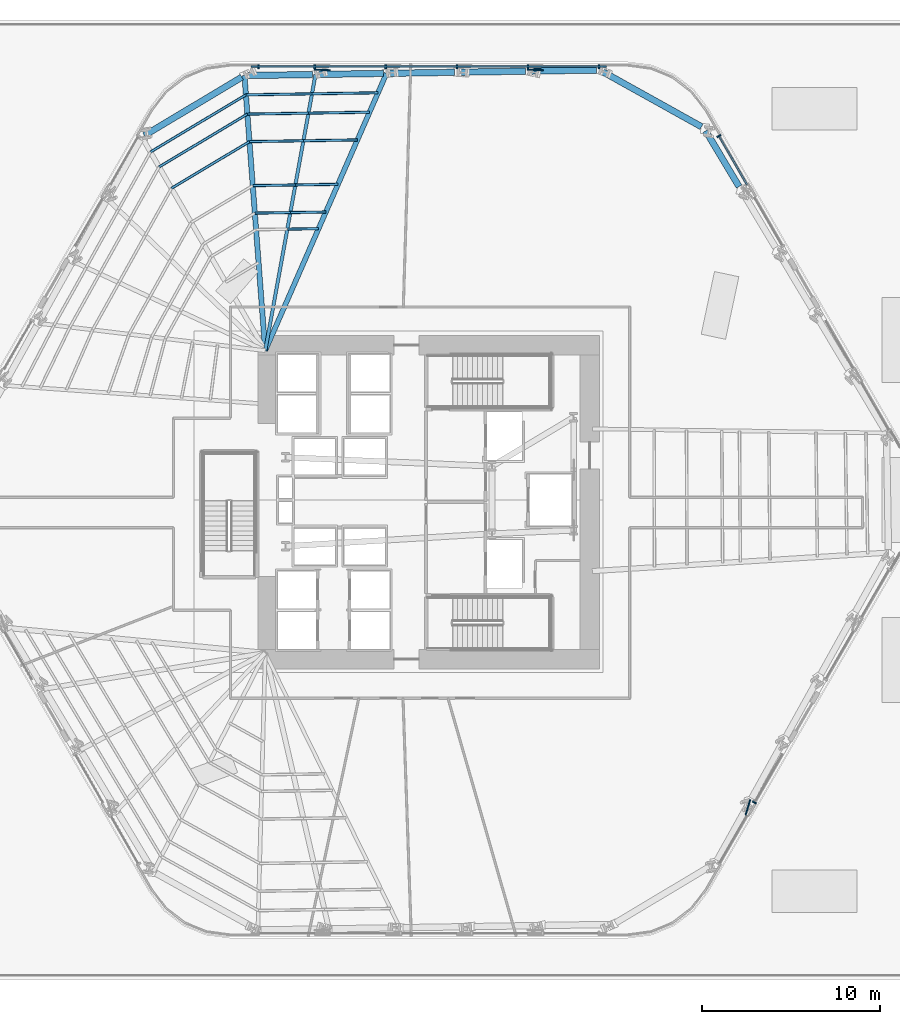
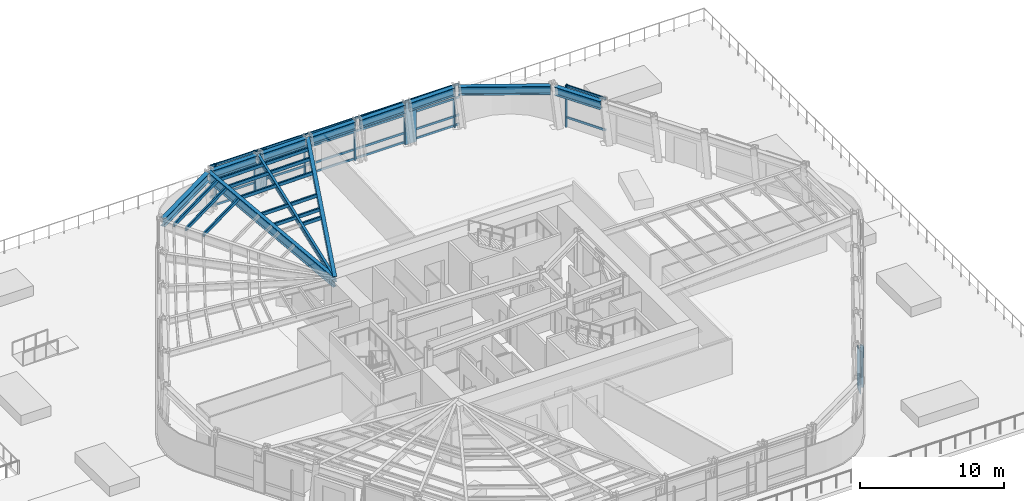
# One storey, part 5 of 18: 31 members, 11 beams, 3 elements without a shape of their own.
"""IFC4 building model written with IfcOpenShell, lengths in metres."""

from ifc_helpers import new_model, si_unit, direction, frame, origin, origin_2d, place, context, subcontext, project, spatial, rectangle, hollow_rectangle, i_section, extrude, material, layer, layer_set, material_profile, profile_set, type_object, element, aggregate, save


model = new_model("IFC4")

# Units and contexts
model_context = context("Model", 3, precision=1e-05, world=origin(), true_north=direction((0.0, 1.0)))
body_context = subcontext(model_context, "Body", "Model", "MODEL_VIEW")
ifc_project = project(units=[si_unit("LENGTHUNIT", "METRE"), si_unit("AREAUNIT", "SQUARE_METRE"), si_unit("VOLUMEUNIT", "CUBIC_METRE"), si_unit("PLANEANGLEUNIT", "RADIAN"), si_unit("MASSUNIT", "GRAM", prefix="KILO")], contexts=[model_context])

# Site, building, storey
site_placement = place(None, origin())
site = spatial("IfcSite", under=ifc_project, at=site_placement, CompositionType="ELEMENT")
building_placement = place(site_placement, origin())
building = spatial("IfcBuilding", under=site, at=building_placement, Name="Valkerne Bourse Tower", CompositionType="ELEMENT")
storey_placement = place(building_placement, frame((0.0, 0.0, 24.0)))
storey = spatial("IfcBuildingStorey", under=building, at=storey_placement, Name="L05", CompositionType="ELEMENT", Elevation=24.0)

# Beams
ifc_material_1 = material(Name="Steel ASTM A992", Category="steel")
ifc_material_profile_1 = material_profile(ifc_material_1, i_section(OverallWidth=0.1904296875, OverallDepth=0.457275390625, WebThickness=0.009033203125, FlangeThickness=0.014404296875, FilletRadius=0.01513671875, at=origin_2d()), Name="W18X50")
ifc_profile_set_1 = profile_set([ifc_material_profile_1], Name="Steel ASTM A992")
beam_type_1 = type_object("IfcBeamType", Name="BM-W18X50", PredefinedType="JOIST", material=ifc_profile_set_1)
beam_1_placement = place(storey_placement, frame((40.42919921875, 50.93505859375, 3.351318359375), z_axis=(-0.17916298838, -0.983819405986, 0.0), x_axis=(0.983819405986, -0.17916298838, 0.0)))
element("IfcBeam", 1, at=beam_1_placement, inside=storey, type_object=beam_type_1, Name="L05 Radial Composite Floor Beam 10", PredefinedType="JOIST", context=body_context, shape_type="SweptSolid", body=[
    extrude(i_section(OverallWidth=0.1904296875, OverallDepth=0.457275390625, WebThickness=0.009033203125, FlangeThickness=0.014404296875, FilletRadius=0.01513671875, at=origin_2d()), origin(), (0.0, 0.0, 1.0), 15.790771484375),
])
ifc_material_profile_2 = material_profile(ifc_material_1, i_section(OverallWidth=0.279296875, OverallDepth=0.46240234375, WebThickness=0.0107421875, FlangeThickness=0.017333984375, FilletRadius=0.017822265625, at=origin_2d()), Name="W18X76")
ifc_profile_set_2 = profile_set([ifc_material_profile_2], Name="Steel ASTM A992")
beam_type_2 = type_object("IfcBeamType", Name="BM-W18X76", PredefinedType="BEAM", material=ifc_profile_set_2)
beam_2_placement = place(storey_placement, frame((44.4248046875, 50.997802734375, 3.348876953125), z_axis=(-0.400849675725, -0.916143841038, 0.0), x_axis=(0.916143841038, -0.400849675725, 0.0)))
element("IfcBeam", 2, at=beam_2_placement, inside=storey, type_object=beam_type_2, Name="L05 Radial Composite Floor Beam 09", PredefinedType="BEAM", context=body_context, shape_type="SweptSolid", body=[
    extrude(i_section(OverallWidth=0.279296875, OverallDepth=0.46240234375, WebThickness=0.0107421875, FlangeThickness=0.017333984375, FilletRadius=0.017822265625, at=origin_2d()), origin(), (0.0, 0.0, 1.0), 17.025634765625),
])
ifc_material_profile_3 = material_profile(ifc_material_1, i_section(OverallWidth=0.358154296875, OverallDepth=0.7060546875, WebThickness=0.018310546875, FlangeThickness=0.0302734375, FilletRadius=0.02294921875, at=origin_2d()), Name="W27X178")
ifc_profile_set_3 = profile_set([ifc_material_profile_3], Name="Steel ASTM A992")
beam_type_3 = type_object("IfcBeamType", Name="BM-W27X178", PredefinedType="SPANDREL", material=ifc_profile_set_3)
beam_3_placement = place(storey_placement, frame((64.255615234375, 44.630615234375, 3.226806640625), z_axis=(-0.513542832295, 0.858063959969, 0.0), x_axis=(-0.858063959969, -0.513542832295, 0.0)))
element("IfcBeam", 3, at=beam_3_placement, inside=storey, type_object=beam_type_3, Name="L05 Hexagonal Spandrel Ring Beam 04", PredefinedType="SPANDREL", context=body_context, shape_type="SweptSolid", body=[
    extrude(i_section(OverallWidth=0.358154296875, OverallDepth=0.7060546875, WebThickness=0.018310546875, FlangeThickness=0.0302734375, FilletRadius=0.02294921875, at=origin_2d()), origin(), (0.0, 0.0, 1.0), 3.65576171875),
])
beam_4_placement = place(storey_placement, frame((62.142333984375, 47.996337890625, 3.226806640625), z_axis=(-0.87377307282, 0.486333853659, 0.0), x_axis=(-0.486333853659, -0.87377307282, 0.0)))
element("IfcBeam", 4, at=beam_4_placement, inside=storey, type_object=beam_type_3, Name="L05 Hexagonal Spandrel Ring Beam 05", PredefinedType="SPANDREL", context=body_context, shape_type="SweptSolid", body=[
    extrude(i_section(OverallWidth=0.358154296875, OverallDepth=0.7060546875, WebThickness=0.018310546875, FlangeThickness=0.0302734375, FilletRadius=0.02294921875, at=origin_2d()), origin(), (0.0, 0.0, 1.0), 6.388916015625),
])
for number, where, z_axis, x_axis, name in (
    (5, (56.2412109375, 51.18359375, 3.226806640625), (-0.999876857532, -0.015692984807, 0.0), (0.015692984807, -0.999876857532, 0.0), "L05 Hexagonal Spandrel Ring Beam 06"),
    (6, (52.245849609375, 51.12060546875, 3.226806640625), (-0.999876857532, -0.015692984807, 0.0), (0.015692984807, -0.999876857532, 0.0), "L05 Hexagonal Spandrel Ring Beam 07"),
    (7, (48.250244140625, 51.057861328125, 3.226806640625), (-0.999876857532, -0.015692984807, 0.0), (0.015692984807, -0.999876857532, 0.0), "L05 Hexagonal Spandrel Ring Beam 08"),
    (8, (44.2548828125, 50.9951171875, 3.226806640625), (-0.999876857532, -0.015692984807, 0.0), (0.015692984807, -0.999876857532, 0.0), "L05 Hexagonal Spandrel Ring Beam 09"),
    (9, (40.25927734375, 50.932373046875, 3.226806640625), (-0.999876857532, -0.015692984807, 0.0), (0.015692984807, -0.999876857532, 0.0), "L05 Hexagonal Spandrel Ring Beam 10"),
):
    element("IfcBeam", number, at=place(storey_placement, frame(where, z_axis=z_axis, x_axis=x_axis)), inside=storey, type_object=beam_type_3, Name=name, PredefinedType="SPANDREL", context=body_context, shape_type="SweptSolid", body=[
        extrude(i_section(OverallWidth=0.358154296875, OverallDepth=0.7060546875, WebThickness=0.018310546875, FlangeThickness=0.0302734375, FilletRadius=0.02294921875, at=origin_2d()), origin(), (0.0, 0.0, 1.0), 3.656005859375),
    ])
beam_5_placement = place(storey_placement, frame((36.287841796875, 50.784912109375, 3.226806640625), z_axis=(-0.858065583665, -0.513540119299, 0.0), x_axis=(0.513540119299, -0.858065583665, 0.0)))
element("IfcBeam", 10, at=beam_5_placement, inside=storey, type_object=beam_type_3, Name="L05 Hexagonal Spandrel Ring Beam 11", PredefinedType="SPANDREL", context=body_context, shape_type="SweptSolid", body=[
    extrude(i_section(OverallWidth=0.358154296875, OverallDepth=0.7060546875, WebThickness=0.018310546875, FlangeThickness=0.0302734375, FilletRadius=0.02294921875, at=origin_2d()), origin(), (0.0, 0.0, 1.0), 6.388916015625),
])
ifc_material_profile_4 = material_profile(ifc_material_1, i_section(OverallWidth=0.2919921875, OverallDepth=0.8583984375, WebThickness=0.01708984375, FlangeThickness=0.031005859375, FilletRadius=0.025390625, at=origin_2d()), Name="W33X169")
ifc_profile_set_4 = profile_set([ifc_material_profile_4], Name="Steel ASTM A992")
beam_type_4 = type_object("IfcBeamType", Name="BM-W33X169", PredefinedType="BEAM", material=ifc_profile_set_4)
beam_6_placement = place(storey_placement, frame((36.433837890625, 50.872314453125, 3.150634765625), z_axis=(0.07516350189, -0.997171223002, 0.0), x_axis=(0.997171223002, 0.07516350189, 0.0)))
element("IfcBeam", 11, at=beam_6_placement, inside=storey, type_object=beam_type_4, Name="L05 Radial Composite Floor Beam 11", PredefinedType="BEAM", context=body_context, shape_type="SweptSolid", body=[
    extrude(i_section(OverallWidth=0.2919921875, OverallDepth=0.8583984375, WebThickness=0.01708984375, FlangeThickness=0.031005859375, FilletRadius=0.025390625, at=origin_2d()), origin(), (0.0, 0.0, 1.0), 15.516357421875),
])

# Curtain wall, member
ifc_material_2 = material(Name="Aluminium AA 6063-T6", Category="aluminium")
ifc_layer = layer(ifc_material_2, 0.22509765625)
ifc_layer_set = layer_set([ifc_layer], Name="Aluminium AA 6063-T6")
curtain_wall_type = type_object("IfcCurtainWallType", Name="CW-01", PredefinedType="NOTDEFINED", material=ifc_layer_set)
curtain_wall_1_placement = place(storey_placement, origin())
curtain_wall_1 = element("IfcCurtainWall", 12, at=curtain_wall_1_placement, inside=storey, type_object=curtain_wall_type, Name="L05 Hexagonal Stick Curtain Wall Face 1", PredefinedType="NOTDEFINED")
ifc_material_profile_5 = material_profile(ifc_material_2, rectangle(XDim=0.090087890625, YDim=0.239990234375, at=origin_2d()), Name="CWM-90X240")
ifc_profile_set_5 = profile_set([ifc_material_profile_5], Name="Aluminium AA 6063-T6")
member_type_1 = type_object("IfcMemberType", Name="CW-MUL-240X90", PredefinedType="MULLION", material=ifc_profile_set_5)
member_1_placement = place(storey_placement, frame((63.121826171875, 47.47412109375, 0.0), z_axis=(0.0, 0.0, 1.0), x_axis=(-0.500004065051, 0.866023056813, 0.0)))
member_1 = element("IfcMember", 13, at=member_1_placement, type_object=member_type_1, Name="CW-L05-F1 Jamb Mullion 04B", PredefinedType="MULLION", context=body_context, shape_type="SweptSolid", body=[
    extrude(rectangle(XDim=0.090087890625, YDim=0.239990234375, at=origin_2d()), origin(), (0.0, 0.0, 1.0), 3.580078125),
])

# Curtain wall, members
curtain_wall_2_placement = place(storey_placement, origin())
curtain_wall_2 = element("IfcCurtainWall", 14, at=curtain_wall_2_placement, inside=storey, type_object=curtain_wall_type, Name="L05 Hexagonal Stick Curtain Wall Face 2", PredefinedType="NOTDEFINED")
member_2_placement = place(storey_placement, frame((56.3701171875, 51.372314453125, 0.0), z_axis=(0.0, 0.0, 1.0), x_axis=(-1.0, 0.0, 0.0)))
member_2 = element("IfcMember", 15, at=member_2_placement, type_object=member_type_1, Name="CW-L05-F2 Jamb Mullion 00A", PredefinedType="MULLION", context=body_context, shape_type="SweptSolid", body=[
    extrude(rectangle(XDim=0.090087890625, YDim=0.239990234375, at=origin_2d()), origin(), (0.0, 0.0, 1.0), 3.580078125),
])
member_3_placement = place(storey_placement, frame((52.3740234375, 51.372314453125, 0.0), z_axis=(0.0, 0.0, 1.0), x_axis=(-1.0, 0.0, 0.0)))
member_3 = element("IfcMember", 16, at=member_3_placement, type_object=member_type_1, Name="CW-L05-F2 Jamb Mullion 01A", PredefinedType="MULLION", context=body_context, shape_type="SweptSolid", body=[
    extrude(rectangle(XDim=0.090087890625, YDim=0.239990234375, at=origin_2d()), origin(), (0.0, 0.0, 1.0), 3.580078125),
])
member_4_placement = place(storey_placement, frame((48.3779296875, 51.372314453125, 0.0), z_axis=(0.0, 0.0, 1.0), x_axis=(-1.0, 0.0, 0.0)))
member_4 = element("IfcMember", 17, at=member_4_placement, type_object=member_type_1, Name="CW-L05-F2 Jamb Mullion 02A", PredefinedType="MULLION", context=body_context, shape_type="SweptSolid", body=[
    extrude(rectangle(XDim=0.090087890625, YDim=0.239990234375, at=origin_2d()), origin(), (0.0, 0.0, 1.0), 3.580078125),
])
member_5_placement = place(storey_placement, frame((44.382080078125, 51.372314453125, 0.0), z_axis=(0.0, 0.0, 1.0), x_axis=(-1.0, 0.0, 0.0)))
member_5 = element("IfcMember", 18, at=member_5_placement, type_object=member_type_1, Name="CW-L05-F2 Jamb Mullion 03A", PredefinedType="MULLION", context=body_context, shape_type="SweptSolid", body=[
    extrude(rectangle(XDim=0.090087890625, YDim=0.239990234375, at=origin_2d()), origin(), (0.0, 0.0, 1.0), 3.580078125),
])
member_6_placement = place(storey_placement, frame((40.385986328125, 51.372314453125, 0.0), z_axis=(0.0, 0.0, 1.0), x_axis=(-1.0, 0.0, 0.0)))
member_6 = element("IfcMember", 19, at=member_6_placement, type_object=member_type_1, Name="CW-L05-F2 Jamb Mullion 04A", PredefinedType="MULLION", context=body_context, shape_type="SweptSolid", body=[
    extrude(rectangle(XDim=0.090087890625, YDim=0.239990234375, at=origin_2d()), origin(), (0.0, 0.0, 1.0), 3.580078125),
])
member_7_placement = place(storey_placement, frame((37.22998046875, 51.372314453125, 0.0), z_axis=(0.0, 0.0, 1.0), x_axis=(-1.0, 0.0, 0.0)))
member_7 = element("IfcMember", 20, at=member_7_placement, type_object=member_type_1, Name="CW-L05-F2 Jamb Mullion 04B", PredefinedType="MULLION", context=body_context, shape_type="SweptSolid", body=[
    extrude(rectangle(XDim=0.090087890625, YDim=0.239990234375, at=origin_2d()), origin(), (0.0, 0.0, 1.0), 3.580078125),
])

# Curtain wall, member
curtain_wall_3_placement = place(storey_placement, origin())
curtain_wall_3 = element("IfcCurtainWall", 21, at=curtain_wall_3_placement, inside=storey, type_object=curtain_wall_type, Name="L05 Hexagonal Stick Curtain Wall Face 6", PredefinedType="NOTDEFINED")
member_8_placement = place(storey_placement, frame((65.119873046875, 9.986572265625, 0.0), z_axis=(0.0, 0.0, 1.0), x_axis=(0.499993228951, 0.866029313016, 0.0)))
member_8 = element("IfcMember", 22, at=member_8_placement, type_object=member_type_1, Name="CW-L05-F6 Jamb Mullion 01A", PredefinedType="MULLION", context=body_context, shape_type="SweptSolid", body=[
    extrude(rectangle(XDim=0.090087890625, YDim=0.239990234375, at=origin_2d()), origin(), (0.0, 0.0, 1.0), 3.580078125),
])
aggregate(curtain_wall_3, [member_8])

# Member
ifc_material_profile_6 = material_profile(ifc_material_2, rectangle(XDim=0.090087890625, YDim=0.179931640625, at=origin_2d()), Name="CWT-90X180")
ifc_profile_set_6 = profile_set([ifc_material_profile_6], Name="Aluminium AA 6063-T6")
member_type_2 = type_object("IfcMemberType", Name="CW-TRN-180X90", PredefinedType="USERDEFINED", material=ifc_profile_set_6)
member_9_placement = place(storey_placement, frame((64.699951171875, 44.74072265625, 0.85009765625), z_axis=(-0.499999210213, 0.866025859768, 0.0), x_axis=(-0.866025859768, -0.499999210213, 0.0)))
member_9 = element("IfcMember", 23, at=member_9_placement, type_object=member_type_2, Name="CW-L05-F1 Bay Transom 04-1", ObjectType="TRANSOM", PredefinedType="USERDEFINED", context=body_context, shape_type="SweptSolid", body=[
    extrude(rectangle(XDim=0.090087890625, YDim=0.179931640625, at=origin_2d()), origin(), (0.0, 0.0, 1.0), 3.15625),
])

member_10_placement = place(storey_placement, frame((64.699951171875, 44.74072265625, 3.5), z_axis=(-0.499999210213, 0.866025859768, 0.0), x_axis=(-0.866025859768, -0.499999210213, 0.0)))
member_10 = element("IfcMember", 24, at=member_10_placement, type_object=member_type_2, Name="CW-L05-F1 Bay Transom 04-2", ObjectType="TRANSOM", PredefinedType="USERDEFINED", context=body_context, shape_type="SweptSolid", body=[
    extrude(rectangle(XDim=0.090087890625, YDim=0.179931640625, at=origin_2d()), origin(), (0.0, 0.0, 1.0), 3.15625),
])

aggregate(curtain_wall_1, [member_1, member_9, member_10])

member_11_placement = place(storey_placement, frame((56.7900390625, 51.39208984375, 0.1201171875), z_axis=(-1.0, 0.0, 0.0), x_axis=(0.0, -1.0, 0.0)))
member_11 = element("IfcMember", 25, at=member_11_placement, type_object=member_type_2, Name="CW-L05-F2 Continuous Face Transom 1", ObjectType="TRANSOM", PredefinedType="USERDEFINED", context=body_context, shape_type="SweptSolid", body=[
    extrude(rectangle(XDim=0.090087890625, YDim=0.179931640625, at=origin_2d()), origin(), (0.0, 0.0, 1.0), 19.97998046875),
])

member_12_placement = place(storey_placement, frame((56.7900390625, 51.39208984375, 0.89990234375), z_axis=(-1.0, 0.0, 0.0), x_axis=(0.0, -1.0, 0.0)))
member_12 = element("IfcMember", 26, at=member_12_placement, type_object=member_type_2, Name="CW-L05-F2 Continuous Face Transom 2", ObjectType="TRANSOM", PredefinedType="USERDEFINED", context=body_context, shape_type="SweptSolid", body=[
    extrude(rectangle(XDim=0.090087890625, YDim=0.179931640625, at=origin_2d()), origin(), (0.0, 0.0, 1.0), 19.97998046875),
])

member_13_placement = place(storey_placement, frame((56.7900390625, 51.39208984375, 2.39990234375), z_axis=(-1.0, 0.0, 0.0), x_axis=(0.0, -1.0, 0.0)))
member_13 = element("IfcMember", 27, at=member_13_placement, type_object=member_type_2, Name="CW-L05-F2 Continuous Face Transom 3", ObjectType="TRANSOM", PredefinedType="USERDEFINED", context=body_context, shape_type="SweptSolid", body=[
    extrude(rectangle(XDim=0.090087890625, YDim=0.179931640625, at=origin_2d()), origin(), (0.0, 0.0, 1.0), 19.97998046875),
])

member_14_placement = place(storey_placement, frame((56.7900390625, 51.39208984375, 3.5), z_axis=(-1.0, 0.0, 0.0), x_axis=(0.0, -1.0, 0.0)))
member_14 = element("IfcMember", 28, at=member_14_placement, type_object=member_type_2, Name="CW-L05-F2 Continuous Face Transom 4", ObjectType="TRANSOM", PredefinedType="USERDEFINED", context=body_context, shape_type="SweptSolid", body=[
    extrude(rectangle(XDim=0.090087890625, YDim=0.179931640625, at=origin_2d()), origin(), (0.0, 0.0, 1.0), 19.97998046875),
])

aggregate(curtain_wall_2, [member_11, member_12, member_13, member_14, member_2, member_3, member_4, member_5, member_6, member_7])

# Members
ifc_material_3 = material(Name="Bronze Anodised Aluminium AA 6063-T6", Category="aluminium")
ifc_material_profile_7 = material_profile(ifc_material_3, rectangle(XDim=0.070068359375, YDim=0.89990234375, at=origin_2d()), Name="FIN-70X900")
ifc_profile_set_7 = profile_set([ifc_material_profile_7], Name="Bronze Anodised Aluminium AA 6063-T6")
member_type_3 = type_object("IfcMemberType", Name="FIN-SOLAR-900", PredefinedType="USERDEFINED", material=ifc_profile_set_7)
for number, where, z_axis, x_axis, name in (
    (29, (52.7939453125, 51.192138671875, 0.00390625), (0.0, 0.0, 1.0), (0.031888158654, 0.999491443354, 0.0), "L05 Bronze Anodised Solar Fin F2-01"),
    (30, (40.805908203125, 51.192138671875, 0.00390625), (0.0, 0.0, 1.0), (0.031888158654, 0.999491443354, 0.0), "L05 Bronze Anodised Solar Fin F2-04"),
    (31, (64.754150390625, 9.712890625, 0.00390625), (0.0, 0.0, 1.0), (0.955971448067, -0.293459691408, 0.0), "L05 Bronze Anodised Solar Fin F6-01"),
):
    element("IfcMember", number, at=place(storey_placement, frame(where, z_axis=z_axis, x_axis=x_axis)), inside=storey, type_object=member_type_3, Name=name, ObjectType="SOLAR_FIN", PredefinedType="USERDEFINED", context=body_context, shape_type="SweptSolid", body=[
        extrude(rectangle(XDim=0.070068359375, YDim=0.89990234375, at=origin_2d()), origin(), (0.0, 0.0, 1.0), 3.572021484375),
    ])
ifc_material_4 = material(Name="Steel ASTM A500 Grade C", Category="steel")
ifc_material_profile_8 = material_profile(ifc_material_4, hollow_rectangle(XDim=0.14990234375, YDim=0.300048828125, WallThickness=0.012451171875, OuterFilletRadius=0.02490234375, at=origin_2d()), Name="HSS300X150X12.5")
ifc_profile_set_8 = profile_set([ifc_material_profile_8], Name="Steel ASTM A500 Grade C")
member_type_4 = type_object("IfcMemberType", Name="MBR-HSS300X150X12.5", PredefinedType="PURLIN", material=ifc_profile_set_8)
member_15_placement = place(storey_placement, frame((40.602783203125, 42.26318359375, 3.419921875), z_axis=(-0.999874676341, -0.015831349042, 0.0), x_axis=(0.015831349042, -0.999874676341, 0.0)))
element("IfcMember", 32, at=member_15_placement, inside=storey, type_object=member_type_4, Name="L05 Secondary Composite Floor Purlin K-09", PredefinedType="PURLIN", context=body_context, shape_type="SweptSolid", body=[
    extrude(hollow_rectangle(XDim=0.14990234375, YDim=0.300048828125, WallThickness=0.012451171875, OuterFilletRadius=0.02490234375, at=origin_2d()), origin(), (0.0, 0.0, 1.0), 1.758056640625),
])
for number, where, z_axis, x_axis, name in (
    (33, (41.012451171875, 43.198974609375, 3.419921875), (-0.999875765166, -0.015762431102, 0.0), (0.015762431102, -0.999875765166, 0.0), "L05 Secondary Composite Floor Purlin M-09"),
    (34, (39.0146484375, 43.16748046875, 3.419921875), (-0.99987768347, -0.01564027172, 0.0), (0.01564027172, -0.99987768347, 0.0), "L05 Secondary Composite Floor Purlin M-10"),
):
    element("IfcMember", number, at=place(storey_placement, frame(where, z_axis=z_axis, x_axis=x_axis)), inside=storey, type_object=member_type_4, Name=name, PredefinedType="PURLIN", context=body_context, shape_type="SweptSolid", body=[
        extrude(hollow_rectangle(XDim=0.14990234375, YDim=0.300048828125, WallThickness=0.012451171875, OuterFilletRadius=0.02490234375, at=origin_2d()), origin(), (0.0, 0.0, 1.0), 1.998046875),
    ])
for number, where, z_axis, x_axis, name in (
    (35, (42.786865234375, 47.25439453125, 3.419921875), (-0.999877126545, -0.015675835317, 0.0), (0.015675835317, -0.999877126545, 0.0), "L05 Secondary Composite Floor Purlin O-09"),
    (36, (39.750244140625, 47.206787109375, 3.419921875), (-0.999875863308, -0.01575620431, 0.0), (0.01575620431, -0.999875863308, 0.0), "L05 Secondary Composite Floor Purlin O-10"),
):
    element("IfcMember", number, at=place(storey_placement, frame(where, z_axis=z_axis, x_axis=x_axis)), inside=storey, type_object=member_type_4, Name=name, PredefinedType="PURLIN", context=body_context, shape_type="SweptSolid", body=[
        extrude(hollow_rectangle(XDim=0.14990234375, YDim=0.300048828125, WallThickness=0.012451171875, OuterFilletRadius=0.02490234375, at=origin_2d()), origin(), (0.0, 0.0, 1.0), 3.037109375),
    ])
member_16_placement = place(storey_placement, frame((36.713623046875, 47.158935546875, 3.419921875), z_axis=(-0.85806947241, -0.513533621604, 0.0), x_axis=(0.513533621604, -0.85806947241, 0.0)))
element("IfcMember", 37, at=member_16_placement, inside=storey, type_object=member_type_4, Name="L05 Secondary Composite Floor Purlin O-11", PredefinedType="PURLIN", context=body_context, shape_type="SweptSolid", body=[
    extrude(hollow_rectangle(XDim=0.14990234375, YDim=0.300048828125, WallThickness=0.012451171875, OuterFilletRadius=0.02490234375, at=origin_2d()), origin(), (0.0, 0.0, 1.0), 5.114013671875),
])
for number, where, z_axis, x_axis, name in (
    (38, (41.69482421875, 44.7587890625, 3.419921875), (-0.999877030668, -0.015681949559, 0.0), (0.015681949559, -0.999877030668, 0.0), "L05 Secondary Composite Floor Purlin Z-09"),
    (39, (39.297607421875, 44.72119140625, 3.419921875), (-0.999875428778, -0.015783755114, 0.0), (0.015783755114, -0.999875428778, 0.0), "L05 Secondary Composite Floor Purlin Z-10"),
):
    element("IfcMember", number, at=place(storey_placement, frame(where, z_axis=z_axis, x_axis=x_axis)), inside=storey, type_object=member_type_4, Name=name, PredefinedType="PURLIN", context=body_context, shape_type="SweptSolid", body=[
        extrude(hollow_rectangle(XDim=0.14990234375, YDim=0.300048828125, WallThickness=0.012451171875, OuterFilletRadius=0.02490234375, at=origin_2d()), origin(), (0.0, 0.0, 1.0), 2.3974609375),
    ])
for number, where, z_axis, x_axis, name in (
    (40, (43.46923828125, 48.814208984375, 3.419921875), (-0.999876735178, -0.015700778633, 0.0), (0.015700778633, -0.999876735178, 0.0), "L05 Secondary Composite Floor Purlin T-09"),
    (41, (40.033203125, 48.76025390625, 3.419921875), (-0.999876735178, -0.015700778633, 0.0), (0.015700778633, -0.999876735178, 0.0), "L05 Secondary Composite Floor Purlin T-10"),
):
    element("IfcMember", number, at=place(storey_placement, frame(where, z_axis=z_axis, x_axis=x_axis)), inside=storey, type_object=member_type_4, Name=name, PredefinedType="PURLIN", context=body_context, shape_type="SweptSolid", body=[
        extrude(hollow_rectangle(XDim=0.14990234375, YDim=0.300048828125, WallThickness=0.012451171875, OuterFilletRadius=0.02490234375, at=origin_2d()), origin(), (0.0, 0.0, 1.0), 3.4365234375),
    ])
member_17_placement = place(storey_placement, frame((36.59716796875, 48.706298828125, 3.419921875), z_axis=(-0.858069346234, -0.513533832434, 0.0), x_axis=(0.513533832434, -0.858069346234, 0.0)))
element("IfcMember", 42, at=member_17_placement, inside=storey, type_object=member_type_4, Name="L05 Secondary Composite Floor Purlin T-11", PredefinedType="PURLIN", context=body_context, shape_type="SweptSolid", body=[
    extrude(hollow_rectangle(XDim=0.14990234375, YDim=0.300048828125, WallThickness=0.012451171875, OuterFilletRadius=0.02490234375, at=origin_2d()), origin(), (0.0, 0.0, 1.0), 5.787109375),
])
for number, where, z_axis, x_axis, name in (
    (43, (43.947021484375, 49.906005859375, 3.419921875), (-0.999876730342, -0.015701086633, 0.0), (0.015701086633, -0.999876730342, 0.0), "L05 Secondary Composite Floor Purlin U-09"),
    (44, (40.231201171875, 49.84765625, 3.419921875), (-0.999876730342, -0.015701086633, 0.0), (0.015701086633, -0.999876730342, 0.0), "L05 Secondary Composite Floor Purlin U-10"),
):
    element("IfcMember", number, at=place(storey_placement, frame(where, z_axis=z_axis, x_axis=x_axis)), inside=storey, type_object=member_type_4, Name=name, PredefinedType="PURLIN", context=body_context, shape_type="SweptSolid", body=[
        extrude(hollow_rectangle(XDim=0.14990234375, YDim=0.300048828125, WallThickness=0.012451171875, OuterFilletRadius=0.02490234375, at=origin_2d()), origin(), (0.0, 0.0, 1.0), 3.71630859375),
    ])
member_18_placement = place(storey_placement, frame((36.515380859375, 49.789306640625, 3.419921875), z_axis=(-0.858060366372, -0.513548836686, 0.0), x_axis=(0.513548836686, -0.858060366372, 0.0)))
element("IfcMember", 45, at=member_18_placement, inside=storey, type_object=member_type_4, Name="L05 Secondary Composite Floor Purlin U-11", PredefinedType="PURLIN", context=body_context, shape_type="SweptSolid", body=[
    extrude(hollow_rectangle(XDim=0.14990234375, YDim=0.300048828125, WallThickness=0.012451171875, OuterFilletRadius=0.02490234375, at=origin_2d()), origin(), (0.0, 0.0, 1.0), 6.258056640625),
])

save(model, "model.ifc")
